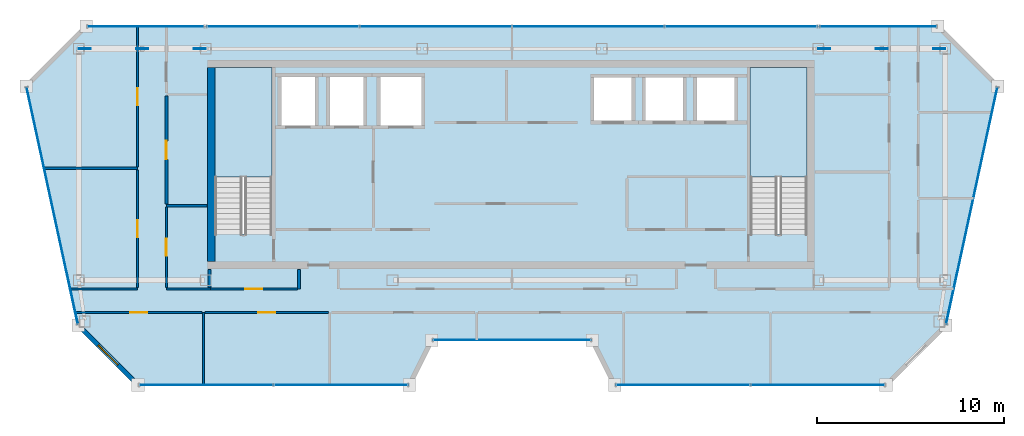
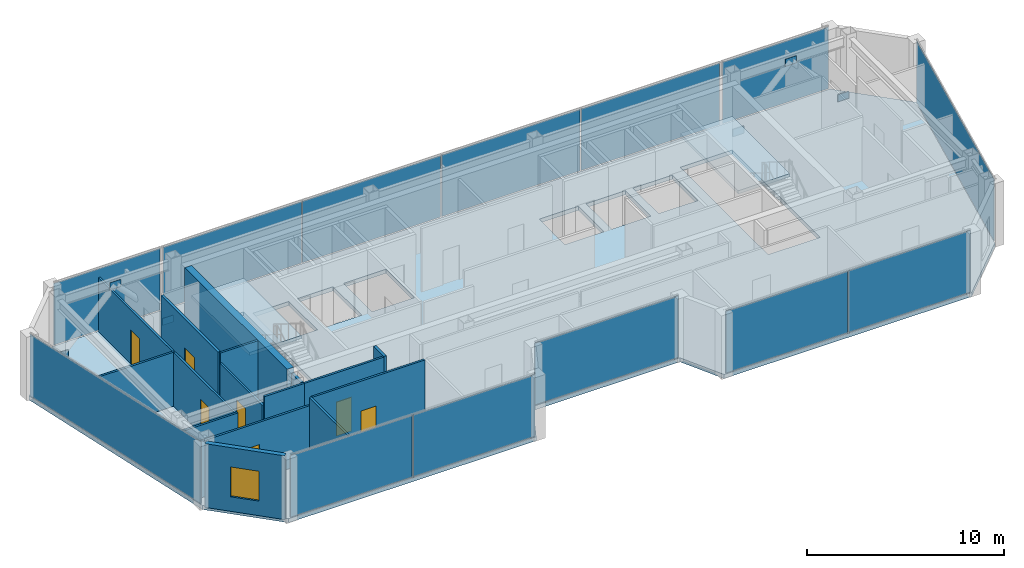
# One storey, part 14 of 20: 19 plates, 16 walls, 7 doors, 3 slabs, 1 window, 8 openings, 10 elements without a shape of their own.
"""IFC4 building model written with IfcOpenShell, lengths in metres."""

from ifc_helpers import new_model, si_unit, direction, frame, frame_2d, origin, origin_2d, place, context, subcontext, project, spatial, polyline, rectangle, outline, extrude, material, layer, layer_set, type_object, element, fill, aggregate, save


model = new_model("IFC4")

# Units and contexts
model_context = context("Model", 3, precision=1e-05, world=origin(), true_north=direction((0.0, 1.0)))
body_context = subcontext(model_context, "Body", "Model", "MODEL_VIEW")
ifc_project = project(units=[si_unit("LENGTHUNIT", "METRE"), si_unit("AREAUNIT", "SQUARE_METRE"), si_unit("VOLUMEUNIT", "CUBIC_METRE"), si_unit("PLANEANGLEUNIT", "RADIAN"), si_unit("MASSUNIT", "GRAM", prefix="KILO")], contexts=[model_context])

# Site, building, storey
site_placement = place(None, origin())
site = spatial("IfcSite", under=ifc_project, at=site_placement, CompositionType="ELEMENT")
building_placement = place(site_placement, origin())
building = spatial("IfcBuilding", under=site, at=building_placement, Name="Saevonmaru Cultural Tower", CompositionType="ELEMENT")
storey_placement = place(building_placement, frame((0.0, 0.0, 319.199951171875)))
storey = spatial("IfcBuildingStorey", under=building, at=storey_placement, Name="L76", CompositionType="ELEMENT", Elevation=319.199951171875)

# Plates
ifc_material_1 = material(Name="Steel HSA600 (600 MPa)", Category="steel")
ifc_layer_1 = layer(ifc_material_1, 0.0400390625, Name="Steel HSA600 (600 MPa)")
ifc_layer_set_1 = layer_set([ifc_layer_1], Name="Steel HSA600 (600 MPa)")
plate_type_1 = type_object("IfcPlateType", Name="PL-GUSSET-EXT", PredefinedType="USERDEFINED", material=ifc_layer_set_1)
for number, where, z_axis, x_axis, name in (
    (1, (10.199951171875, 54.800048828125, 3.300048828125), (0.0, 0.0, 1.0), (1.0, 0.0, 0.0), "L76 Perimeter Tube Gusset Plate"),
    (2, (7.1201171875, 54.800048828125, 0.02001953125), (0.0, 0.0, 1.0), (1.0, 0.0, 0.0), "L76 Perimeter Tube Gusset Plate"),
    (3, (13.280029296875, 54.800048828125, 0.02001953125), (0.0, 0.0, 1.0), (1.0, 0.0, 0.0), "L76 Perimeter Tube Gusset Plate"),
    (4, (49.800048828125, 54.800048828125, 3.300048828125), (0.0, 0.0, 1.0), (1.0, 0.0, 0.0), "L76 Perimeter Tube Gusset Plate"),
    (5, (46.719970703125, 54.800048828125, 0.02001953125), (0.0, 0.0, 1.0), (1.0, 0.0, 0.0), "L76 Perimeter Tube Gusset Plate"),
    (6, (52.8798828125, 54.800048828125, 0.02001953125), (0.0, 0.0, 1.0), (1.0, 0.0, 0.0), "L76 Perimeter Tube Gusset Plate"),
):
    element("IfcPlate", number, at=place(storey_placement, frame(where, z_axis=z_axis, x_axis=x_axis)), inside=storey, type_object=plate_type_1, Name=name, ObjectType="GUSSET_PLATE", PredefinedType="USERDEFINED", context=body_context, shape_type="SweptSolid", body=[
        extrude(rectangle(XDim=0.639892578125, YDim=0.0400390625, at=origin_2d()), origin(), (0.0, 0.0, 1.0), 0.43994140625),
    ])

# Curtain wall, plates
ifc_material_2 = material(Name="Satin Bronze Anodised Aluminium", Category="aluminium")
curtain_wall_type = type_object("IfcCurtainWallType", Name="CW-SKY-GLZ", PredefinedType="NOTDEFINED", material=ifc_material_2)
curtain_wall_1_placement = place(storey_placement, origin())
curtain_wall_1 = element("IfcCurtainWall", 7, at=curtain_wall_1_placement, inside=storey, type_object=curtain_wall_type, Name="L76 Unitised Curtain Wall E2", PredefinedType="NOTDEFINED")
ifc_material_3 = material(Name="Triple Silver Low-E Insulating Glass", Category="glass")
ifc_layer_2 = layer(ifc_material_3, 0.035888671875, Name="Triple Silver Low-E Insulating Glass")
ifc_layer_set_2 = layer_set([ifc_layer_2], Name="Triple Silver Low-E Insulating Glass")
plate_type_2 = type_object("IfcPlateType", Name="PN-GLZ-IGU", PredefinedType="CURTAIN_PANEL", material=ifc_layer_set_2)
plate_1_placement = place(storey_placement, frame((13.635009765625, 36.800048828125, 0.067138671875), z_axis=(0.0, 0.0, 1.0), x_axis=(1.0, 0.0, 0.0)))
plate_1 = element("IfcPlate", 8, at=plate_1_placement, type_object=plate_type_2, Name="CW-TW-L76-E2 panel 1.1", PredefinedType="CURTAIN_PANEL", context=body_context, shape_type="SweptSolid", body=[
    extrude(rectangle(XDim=7.13427734375, YDim=0.035888671875, at=origin_2d()), origin(), (0.0, 0.0, 1.0), 3.81591796875),
])
plate_2_placement = place(storey_placement, frame((20.83837890625, 36.800048828125, 0.067138671875), z_axis=(0.0, 0.0, 1.0), x_axis=(1.0, 0.0, 0.0)))
plate_2 = element("IfcPlate", 9, at=plate_2_placement, type_object=plate_type_2, Name="CW-TW-L76-E2 panel 2.1", PredefinedType="CURTAIN_PANEL", context=body_context, shape_type="SweptSolid", body=[
    extrude(rectangle(XDim=7.13427734375, YDim=0.035888671875, at=origin_2d()), origin(), (0.0, 0.0, 1.0), 3.81591796875),
])
aggregate(curtain_wall_1, [plate_1, plate_2])

# Curtain wall, plate
curtain_wall_2_placement = place(storey_placement, origin())
curtain_wall_2 = element("IfcCurtainWall", 10, at=curtain_wall_2_placement, inside=storey, type_object=curtain_wall_type, Name="L76 Unitised Curtain Wall E4", PredefinedType="NOTDEFINED")
plate_3_placement = place(storey_placement, frame((30.0, 39.199951171875, 0.067138671875), z_axis=(0.0, 0.0, 1.0), x_axis=(1.0, 0.0, 0.0)))
plate_3 = element("IfcPlate", 11, at=plate_3_placement, type_object=plate_type_2, Name="CW-TW-L76-E4 panel 1.1", PredefinedType="CURTAIN_PANEL", context=body_context, shape_type="SweptSolid", body=[
    extrude(rectangle(XDim=8.410888671875, YDim=0.035888671875, at=origin_2d()), origin(), (0.0, 0.0, 1.0), 3.81591796875),
])
aggregate(curtain_wall_2, [plate_3])

# Curtain wall, plates
curtain_wall_3_placement = place(storey_placement, origin())
curtain_wall_3 = element("IfcCurtainWall", 12, at=curtain_wall_3_placement, inside=storey, type_object=curtain_wall_type, Name="L76 Unitised Curtain Wall E6", PredefinedType="NOTDEFINED")
plate_4_placement = place(storey_placement, frame((39.16162109375, 36.800048828125, 0.067138671875), z_axis=(0.0, 0.0, 1.0), x_axis=(1.0, 0.0, 0.0)))
plate_4 = element("IfcPlate", 13, at=plate_4_placement, type_object=plate_type_2, Name="CW-TW-L76-E6 panel 1.1", PredefinedType="CURTAIN_PANEL", context=body_context, shape_type="SweptSolid", body=[
    extrude(rectangle(XDim=7.13427734375, YDim=0.035888671875, at=origin_2d()), origin(), (0.0, 0.0, 1.0), 3.81591796875),
])
plate_5_placement = place(storey_placement, frame((46.364990234375, 36.800048828125, 0.067138671875), z_axis=(0.0, 0.0, 1.0), x_axis=(1.0, 0.0, 0.0)))
plate_5 = element("IfcPlate", 14, at=plate_5_placement, type_object=plate_type_2, Name="CW-TW-L76-E6 panel 2.1", PredefinedType="CURTAIN_PANEL", context=body_context, shape_type="SweptSolid", body=[
    extrude(rectangle(XDim=7.13427734375, YDim=0.035888671875, at=origin_2d()), origin(), (0.0, 0.0, 1.0), 3.81591796875),
])
aggregate(curtain_wall_3, [plate_4, plate_5])

# Curtain wall, plate
curtain_wall_4_placement = place(storey_placement, origin())
curtain_wall_4 = element("IfcCurtainWall", 15, at=curtain_wall_4_placement, inside=storey, type_object=curtain_wall_type, Name="L76 Unitised Curtain Wall E8", PredefinedType="NOTDEFINED")
plate_6_placement = place(storey_placement, frame((54.61328125, 46.39990234375, 0.067138671875), z_axis=(0.0, 0.0, 1.0), x_axis=(0.211750401587, 0.977323778196, 0.0)))
plate_6 = element("IfcPlate", 16, at=plate_6_placement, type_object=plate_type_2, Name="CW-TW-L76-E8 panel 1.1", PredefinedType="CURTAIN_PANEL", context=body_context, shape_type="SweptSolid", body=[
    extrude(rectangle(XDim=12.907958984375, YDim=0.035888671875, at=origin_2d()), origin(), (0.0, 0.0, 1.0), 3.81591796875),
])
aggregate(curtain_wall_4, [plate_6])

# Curtain wall, plates
curtain_wall_5_placement = place(storey_placement, origin())
curtain_wall_5 = element("IfcCurtainWall", 17, at=curtain_wall_5_placement, inside=storey, type_object=curtain_wall_type, Name="L76 North Spine Unitised Curtain Wall E10B", PredefinedType="NOTDEFINED")
plate_7_placement = place(storey_placement, frame((42.2548828125, 56.0, 0.067138671875), z_axis=(0.0, 0.0, 1.0), x_axis=(-1.0, 0.0, 0.0)))
plate_7 = element("IfcPlate", 18, at=plate_7_placement, type_object=plate_type_2, Name="CW-TW-L76-E10B panel 1.1", PredefinedType="CURTAIN_PANEL", context=body_context, shape_type="SweptSolid", body=[
    extrude(rectangle(XDim=8.10107421875, YDim=0.035888671875, at=origin_2d()), origin(), (0.0, 0.0, 1.0), 3.81591796875),
])
plate_8_placement = place(storey_placement, frame((34.0849609375, 56.0, 0.067138671875), z_axis=(0.0, 0.0, 1.0), x_axis=(-1.0, 0.0, 0.0)))
plate_8 = element("IfcPlate", 19, at=plate_8_placement, type_object=plate_type_2, Name="CW-TW-L76-E10B panel 2.1", PredefinedType="CURTAIN_PANEL", context=body_context, shape_type="SweptSolid", body=[
    extrude(rectangle(XDim=8.10107421875, YDim=0.035888671875, at=origin_2d()), origin(), (0.0, 0.0, 1.0), 3.81591796875),
])
plate_9_placement = place(storey_placement, frame((25.9150390625, 56.0, 0.067138671875), z_axis=(0.0, 0.0, 1.0), x_axis=(-1.0, 0.0, 0.0)))
plate_9 = element("IfcPlate", 20, at=plate_9_placement, type_object=plate_type_2, Name="CW-TW-L76-E10B panel 3.1", PredefinedType="CURTAIN_PANEL", context=body_context, shape_type="SweptSolid", body=[
    extrude(rectangle(XDim=8.10107421875, YDim=0.035888671875, at=origin_2d()), origin(), (0.0, 0.0, 1.0), 3.81591796875),
])
plate_10_placement = place(storey_placement, frame((17.7451171875, 56.0, 0.067138671875), z_axis=(0.0, 0.0, 1.0), x_axis=(-1.0, 0.0, 0.0)))
plate_10 = element("IfcPlate", 21, at=plate_10_placement, type_object=plate_type_2, Name="CW-TW-L76-E10B panel 4.1", PredefinedType="CURTAIN_PANEL", context=body_context, shape_type="SweptSolid", body=[
    extrude(rectangle(XDim=8.10107421875, YDim=0.035888671875, at=origin_2d()), origin(), (0.0, 0.0, 1.0), 3.81591796875),
])
aggregate(curtain_wall_5, [plate_7, plate_8, plate_9, plate_10])

# Curtain wall, plate
curtain_wall_6_placement = place(storey_placement, origin())
curtain_wall_6 = element("IfcCurtainWall", 22, at=curtain_wall_6_placement, inside=storey, type_object=curtain_wall_type, Name="L76 Unitised Curtain Wall E12", PredefinedType="NOTDEFINED")
plate_11_placement = place(storey_placement, frame((5.38671875, 46.39990234375, 0.067138671875), z_axis=(0.0, 0.0, 1.0), x_axis=(0.211750401587, -0.977323778196, 0.0)))
plate_11 = element("IfcPlate", 23, at=plate_11_placement, type_object=plate_type_2, Name="CW-TW-L76-E12 panel 1.1", PredefinedType="CURTAIN_PANEL", context=body_context, shape_type="SweptSolid", body=[
    extrude(rectangle(XDim=12.907958984375, YDim=0.035888671875, at=origin_2d()), origin(), (0.0, 0.0, 1.0), 3.81591796875),
])
aggregate(curtain_wall_6, [plate_11])

curtain_wall_7_placement = place(storey_placement, origin())
curtain_wall_7 = element("IfcCurtainWall", 24, at=curtain_wall_7_placement, inside=storey, type_object=curtain_wall_type, Name="L76 East Braced Bay Spandrel Curtain Wall E10A", PredefinedType="NOTDEFINED")
ifc_material_4 = material(Name="Insulated Satin Bronze Aluminium Spandrel Panel", Category="aluminium")
ifc_layer_3 = layer(ifc_material_4, 0.0400390625, Name="Insulated Satin Bronze Aluminium Spandrel Panel")
ifc_layer_set_3 = layer_set([ifc_layer_3], Name="Insulated Satin Bronze Aluminium Spandrel Panel")
plate_type_3 = type_object("IfcPlateType", Name="PN-SPANDREL-BRONZE", PredefinedType="CURTAIN_PANEL", material=ifc_layer_set_3)
plate_12_placement = place(storey_placement, frame((49.60009765625, 56.0, 0.067138671875), z_axis=(0.0, 0.0, 1.0), x_axis=(-1.0, 0.0, 0.0)))
plate_12 = element("IfcPlate", 25, at=plate_12_placement, type_object=plate_type_3, Name="CW-TW-L76-E10A panel 1.1", PredefinedType="CURTAIN_PANEL", context=body_context, shape_type="SweptSolid", body=[
    extrude(rectangle(XDim=6.2109375, YDim=0.035888671875, at=origin_2d()), origin(), (0.0, 0.0, 1.0), 3.81591796875),
])
aggregate(curtain_wall_7, [plate_12])

curtain_wall_8_placement = place(storey_placement, origin())
curtain_wall_8 = element("IfcCurtainWall", 26, at=curtain_wall_8_placement, inside=storey, type_object=curtain_wall_type, Name="L76 West Braced Bay Spandrel Curtain Wall E10C", PredefinedType="NOTDEFINED")
plate_13_placement = place(storey_placement, frame((10.39990234375, 56.0, 0.067138671875), z_axis=(0.0, 0.0, 1.0), x_axis=(-1.0, 0.0, 0.0)))
plate_13 = element("IfcPlate", 27, at=plate_13_placement, type_object=plate_type_3, Name="CW-TW-L76-E10C panel 1.1", PredefinedType="CURTAIN_PANEL", context=body_context, shape_type="SweptSolid", body=[
    extrude(rectangle(XDim=6.2109375, YDim=0.035888671875, at=origin_2d()), origin(), (0.0, 0.0, 1.0), 3.81591796875),
])
aggregate(curtain_wall_8, [plate_13])

# Slab
ifc_material_5 = material(Name="Concrete C40/50", Category="concrete")
ifc_layer_4 = layer(ifc_material_5, 0.25, Name="Concrete C40/50")
ifc_layer_set_4 = layer_set([ifc_layer_4], Name="Concrete C40/50")
slab_type_1 = type_object("IfcSlabType", Name="SL-FLR-250", PredefinedType="FLOOR", material=ifc_layer_set_4)
slab_1_placement = place(storey_placement, frame((0.0, 0.0, -0.25)))
element("IfcSlab", 28, at=slab_1_placement, inside=storey, type_object=slab_type_1, Name="L76 Tower Structural Floor Slab", PredefinedType="FLOOR", context=body_context, shape_type="SweptSolid", body=[
    extrude(outline(polyline([(6.773193359375, 40.0), (9.973388671875, 36.800048828125), (24.5, 36.800048828125), (25.699951171875, 39.199951171875), (34.300048828125, 39.199951171875), (35.5, 36.800048828125), (50.026611328125, 36.800048828125), (53.226806640625, 40.0), (56.0, 52.800048828125), (52.800048828125, 56.0), (7.199951171875, 56.0), (4.0, 52.800048828125), (6.773193359375, 40.0)]), holes=[polyline([(45.800048828125, 53.800048828125), (45.800048828125, 44.875), (42.75, 44.875), (42.75, 53.800048828125), (45.800048828125, 53.800048828125)]), polyline([(42.050048828125, 50.800048828125), (39.75, 50.800048828125), (39.75, 53.39990234375), (42.050048828125, 53.39990234375), (42.050048828125, 50.800048828125)]), polyline([(39.300048828125, 50.800048828125), (37.0, 50.800048828125), (37.0, 53.39990234375), (39.300048828125, 53.39990234375), (39.300048828125, 50.800048828125)]), polyline([(36.550048828125, 50.800048828125), (34.25, 50.800048828125), (34.25, 53.39990234375), (36.550048828125, 53.39990234375), (36.550048828125, 50.800048828125)]), polyline([(25.300048828125, 50.550048828125), (22.800048828125, 50.550048828125), (22.800048828125, 53.449951171875), (25.300048828125, 53.449951171875), (25.300048828125, 50.550048828125)]), polyline([(22.199951171875, 50.550048828125), (20.10009765625, 50.550048828125), (20.10009765625, 53.449951171875), (22.199951171875, 53.449951171875), (22.199951171875, 50.550048828125)]), polyline([(19.60009765625, 50.550048828125), (17.5, 50.550048828125), (17.5, 53.449951171875), (19.60009765625, 53.449951171875), (19.60009765625, 50.550048828125)]), polyline([(17.14990234375, 53.800048828125), (17.14990234375, 44.875), (14.10009765625, 44.875), (14.10009765625, 53.800048828125), (17.14990234375, 53.800048828125)])]), origin(), (0.0, 0.0, 1.0), 0.25),
])

# Stair, slab
stair_type = type_object("IfcStairType", Name="STR-DOGLEG-RC", PredefinedType="HALF_TURN_STAIR", material=ifc_material_5)
stair_1_placement = place(storey_placement, origin())
stair_1 = element("IfcStair", 29, at=stair_1_placement, inside=storey, type_object=stair_type, Name="L76 Protected exit stair ST-1", PredefinedType="HALF_TURN_STAIR")
ifc_layer_5 = layer(ifc_material_5, 0.199951171875, Name="Concrete C40/50")
ifc_layer_set_5 = layer_set([ifc_layer_5], Name="Concrete C40/50")
slab_type_2 = type_object("IfcSlabType", Name="SL-STAIR-LANDING", PredefinedType="LANDING", material=ifc_layer_set_5)
slab_2_placement = place(storey_placement, frame((0.0, 0.0, 1.900146484375)))
slab_2 = element("IfcSlab", 30, at=slab_2_placement, type_object=slab_type_2, Name="ST-1-L76 landing 1", PredefinedType="LANDING", context=body_context, shape_type="SweptSolid", body=[
    extrude(outline(polyline([(17.14990234375, 47.929931640625), (17.14990234375, 53.800048828125), (14.10009765625, 53.800048828125), (14.10009765625, 47.929931640625), (17.14990234375, 47.929931640625)])), origin(), (0.0, 0.0, 1.0), 0.199951171875),
])
aggregate(stair_1, [slab_2])

stair_2_placement = place(storey_placement, origin())
stair_2 = element("IfcStair", 31, at=stair_2_placement, inside=storey, type_object=stair_type, Name="L76 Protected exit stair ST-2", PredefinedType="HALF_TURN_STAIR")
slab_3_placement = place(storey_placement, frame((0.0, 0.0, 1.900146484375)))
slab_3 = element("IfcSlab", 32, at=slab_3_placement, type_object=slab_type_2, Name="ST-2-L76 landing 1", PredefinedType="LANDING", context=body_context, shape_type="SweptSolid", body=[
    extrude(outline(polyline([(45.800048828125, 47.929931640625), (45.800048828125, 53.800048828125), (42.75, 53.800048828125), (42.75, 47.929931640625), (45.800048828125, 47.929931640625)])), origin(), (0.0, 0.0, 1.0), 0.199951171875),
])
aggregate(stair_2, [slab_3])

# Wall
ifc_material_6 = material(Name="Concrete C50/60", Category="concrete")
ifc_layer_6 = layer(ifc_material_6, 0.39990234375, Name="Concrete C50/60")
ifc_layer_set_6 = layer_set([ifc_layer_6], Name="Concrete C50/60")
wall_type_1 = type_object("IfcWallType", Name="WL-CORE-400", PredefinedType="SHEAR", material=ifc_layer_set_6)
wall_1_placement = place(storey_placement, frame((13.89990234375, 43.39990234375, 0.0), z_axis=(0.0, 0.0, 1.0), x_axis=(0.0, 1.0, 0.0)))
element("IfcWall", 33, at=wall_1_placement, inside=storey, type_object=wall_type_1, Name="L76 Tower RC core shear wall W", PredefinedType="SHEAR", context=body_context, shape_type="SweptSolid", body=[
    extrude(rectangle(XDim=10.400146484375, YDim=0.39990234375, at=frame_2d((5.2001953125, 0.0))), origin(), (0.0, 0.0, 1.0), 3.949951171875),
])

# Wall, opening, window
ifc_material_7 = material(Name="Granite-Clad Precast Concrete C40/50", Category="masonry")
ifc_layer_7 = layer(ifc_material_7, 0.260009765625, Name="Granite-Clad Precast Concrete C40/50")
ifc_layer_set_7 = layer_set([ifc_layer_7], Name="Granite-Clad Precast Concrete C40/50")
wall_type_2 = type_object("IfcWallType", Name="WL-EXT-SPANDREL-260", PredefinedType="STANDARD", material=ifc_layer_set_7)
wall_2_placement = place(storey_placement, frame((6.886474609375, 39.886962890625, 0.0), z_axis=(0.0, 0.0, 1.0), x_axis=(0.70707775441, -0.707135806771, 0.0)))
wall_2 = element("IfcWall", 34, at=wall_2_placement, inside=storey, type_object=wall_type_2, Name="L76 Chamfer Corner Spandrel Wall E1", PredefinedType="STANDARD", context=body_context, shape_type="SweptSolid", body=[
    extrude(rectangle(XDim=4.20556640625, YDim=0.260009765625, at=frame_2d((2.102783203125, 0.0))), origin(), (0.0, 0.0, 1.0), 3.949951171875),
])
opening_1_placement = place(wall_2_placement, frame((1.35302734375, 0.0, 0.89990234375)))
opening_1 = element("IfcOpeningElement", 35, at=opening_1_placement, cuts=wall_2, Name="Opening W-2B", PredefinedType="OPENING", context=body_context, shape_type="SweptSolid", body=[
    extrude(rectangle(XDim=1.5, YDim=1.85009765625, at=frame_2d((0.75, 0.925048828125))), frame((0.0, 0.14013671875, 0.0), z_axis=(0.0, -1.0, 0.0), x_axis=(1.0, 0.0, 0.0)), (0.0, 0.0, 1.0), 0.280029296875),
])
window_type = type_object("IfcWindowType", Name="WN-DECO-1500x1850", PartitioningType="SINGLE_PANEL", PredefinedType="WINDOW", material=ifc_material_2)
window_placement = place(opening_1_placement, origin())
window = element("IfcWindow", 36, at=window_placement, inside=storey, type_object=window_type, Name="L76 Chamfer Corner Bronze Window E1", OverallHeight=1.85009765625, OverallWidth=1.5, PartitioningType="SINGLE_PANEL", PredefinedType="WINDOW", context=body_context, shape_type="SweptSolid", body=[
    extrude(rectangle(XDim=1.5, YDim=1.85009765625, at=frame_2d((0.75, 0.925048828125))), frame((0.0, 0.030029296875, 0.0), z_axis=(0.0, -1.0, 0.0), x_axis=(1.0, 0.0, 0.0)), (0.0, 0.0, 1.0), 0.06005859375),
])
fill(opening_1, window)

# Wall, opening, door
ifc_material_8 = material(Name="Gypsum Fireboard Partition", Category="gypsum")
ifc_layer_8 = layer(ifc_material_8, 0.14990234375, Name="Gypsum Fireboard Partition")
ifc_layer_set_8 = layer_set([ifc_layer_8], Name="Gypsum Fireboard Partition")
wall_type_3 = type_object("IfcWallType", Name="WL-PART-FIRE-150", PredefinedType="PARTITIONING", material=ifc_layer_set_8)
wall_3_placement = place(storey_placement, frame((11.5, 46.47998046875, 0.0), z_axis=(0.0, 0.0, 1.0), x_axis=(0.0, 1.0, 0.0)))
wall_3 = element("IfcWall", 37, at=wall_3_placement, inside=storey, type_object=wall_type_3, Name="L76 Media Screening Auditorium Corridor Wall", PredefinedType="PARTITIONING", context=body_context, shape_type="SweptSolid", body=[
    extrude(rectangle(XDim=5.7900390625, YDim=0.14990234375, at=frame_2d((2.89501953125, 0.0))), origin(), (0.0, 0.0, 1.0), 3.949951171875),
])
opening_2_placement = place(wall_3_placement, frame((2.39501953125, 0.0, 0.0)))
opening_2 = element("IfcOpeningElement", 38, at=opening_2_placement, cuts=wall_3, Name="Opening ID-1B", PredefinedType="OPENING", context=body_context, shape_type="SweptSolid", body=[
    extrude(rectangle(XDim=1.0, YDim=2.14990234375, at=frame_2d((0.5, 1.074951171875))), frame((0.0, 0.0849609375, 0.0), z_axis=(0.0, -1.0, 0.0), x_axis=(1.0, 0.0, 0.0)), (0.0, 0.0, 1.0), 0.169921875),
])
ifc_material_9 = material(Name="Acoustic Stained Oak Timber", Category="wood")
door_type_1 = type_object("IfcDoorType", Name="DR-INT-1000", OperationType="SINGLE_SWING_RIGHT", PredefinedType="DOOR", material=ifc_material_9)
door_1_placement = place(opening_2_placement, origin())
door_1 = element("IfcDoor", 39, at=door_1_placement, inside=storey, type_object=door_type_1, Name="L76 Media Screening Auditorium Door", OperationType="SINGLE_SWING_LEFT", OverallHeight=2.14990234375, OverallWidth=1.0, PredefinedType="DOOR", context=body_context, shape_type="SweptSolid", body=[
    extrude(rectangle(XDim=1.0, YDim=2.14990234375, at=frame_2d((0.5, 1.074951171875))), frame((0.0, 0.02490234375, 0.0), z_axis=(0.0, -1.0, 0.0), x_axis=(1.0, 0.0, 0.0)), (0.0, 0.0, 1.0), 0.050048828125),
])
fill(opening_2, door_1)

# Walls
wall_4_placement = place(storey_placement, frame((13.800048828125, 42.02001953125, 0.0), z_axis=(0.0, 0.0, 1.0), x_axis=(0.0, 1.0, 0.0)))
element("IfcWall", 40, at=wall_4_placement, inside=storey, type_object=wall_type_3, Name="L76 Core Portal Side Wall W0", PredefinedType="PARTITIONING", context=body_context, shape_type="SweptSolid", body=[
    extrude(rectangle(XDim=0.9599609375, YDim=0.14990234375, at=frame_2d((0.47998046875, 0.0))), origin(), (0.0, 0.0, 1.0), 3.949951171875),
])
wall_5_placement = place(storey_placement, frame((18.60009765625, 41.93994140625, 0.0), z_axis=(0.0, 0.0, 1.0), x_axis=(0.0, 1.0, 0.0)))
element("IfcWall", 41, at=wall_5_placement, inside=storey, type_object=wall_type_3, Name="L76 Core Portal Side Wall W1", PredefinedType="PARTITIONING", context=body_context, shape_type="SweptSolid", body=[
    extrude(rectangle(XDim=1.0400390625, YDim=0.14990234375, at=frame_2d((0.52001953125, 0.0))), origin(), (0.0, 0.0, 1.0), 3.949951171875),
])
ifc_layer_9 = layer(ifc_material_8, 0.1201171875, Name="Gypsum Fireboard Partition")
ifc_layer_set_9 = layer_set([ifc_layer_9], Name="Gypsum Fireboard Partition")
wall_type_4 = type_object("IfcWallType", Name="WL-PART-GYP-120", PredefinedType="PARTITIONING", material=ifc_layer_set_9)
wall_6_placement = place(storey_placement, frame((6.358154296875, 41.93994140625, 0.0), z_axis=(0.0, 0.0, 1.0), x_axis=(1.0, 0.0, 0.0)))
element("IfcWall", 42, at=wall_6_placement, inside=storey, type_object=wall_type_4, Name="L76 NW Wing South Wall", PredefinedType="PARTITIONING", context=body_context, shape_type="SweptSolid", body=[
    extrude(rectangle(XDim=3.591796875, YDim=0.1201171875, at=frame_2d((1.7958984375, 0.0))), origin(), (0.0, 0.0, 1.0), 3.485107421875),
])
wall_7_placement = place(storey_placement, frame((11.5, 41.93994140625, 0.0), z_axis=(0.0, 0.0, 1.0), x_axis=(1.0, 0.0, 0.0)))
element("IfcWall", 43, at=wall_7_placement, inside=storey, type_object=wall_type_4, Name="L76 NW Inner South Wall", PredefinedType="PARTITIONING", context=body_context, shape_type="SweptSolid", body=[
    extrude(rectangle(XDim=2.35009765625, YDim=0.1201171875, at=frame_2d((1.175048828125, 0.0))), origin(), (0.0, 0.0, 1.0), 3.949951171875),
])
wall_8_placement = place(storey_placement, frame((4.95849609375, 48.39990234375, 0.0), z_axis=(0.0, 0.0, 1.0), x_axis=(1.0, 0.0, 0.0)))
element("IfcWall", 44, at=wall_8_placement, inside=storey, type_object=wall_type_4, Name="L76 NW Studio Divider 1", PredefinedType="PARTITIONING", context=body_context, shape_type="SweptSolid", body=[
    extrude(rectangle(XDim=4.991455078125, YDim=0.1201171875, at=frame_2d((2.49560546875, 0.0))), origin(), (0.0, 0.0, 1.0), 3.34716796875),
])

# Wall, opening, door
wall_9_placement = place(storey_placement, frame((9.949951171875, 42.02001953125, 0.0), z_axis=(0.0, 0.0, 1.0), x_axis=(0.0, 1.0, 0.0)))
wall_9 = element("IfcWall", 45, at=wall_9_placement, inside=storey, type_object=wall_type_4, Name="L76 Digital Media Classroom Corridor Wall", PredefinedType="PARTITIONING", context=body_context, shape_type="SweptSolid", body=[
    extrude(rectangle(XDim=6.300048828125, YDim=0.1201171875, at=frame_2d((3.14990234375, 0.0))), origin(), (0.0, 0.0, 1.0), 3.34716796875),
])
opening_3_placement = place(wall_9_placement, frame((2.699951171875, 0.0, 0.0)))
opening_3 = element("IfcOpeningElement", 46, at=opening_3_placement, cuts=wall_9, Name="Opening ID-2", PredefinedType="OPENING", context=body_context, shape_type="SweptSolid", body=[
    extrude(rectangle(XDim=0.89990234375, YDim=2.10009765625, at=frame_2d((0.449951171875, 1.050048828125))), frame((0.0, 0.070068359375, 0.0), z_axis=(0.0, -1.0, 0.0), x_axis=(1.0, 0.0, 0.0)), (0.0, 0.0, 1.0), 0.14013671875),
])
door_type_2 = type_object("IfcDoorType", Name="DR-INT-900", OperationType="SINGLE_SWING_RIGHT", PredefinedType="DOOR", material=ifc_material_9)
door_2_placement = place(opening_3_placement, origin())
door_2 = element("IfcDoor", 47, at=door_2_placement, inside=storey, type_object=door_type_2, Name="L76 Digital Media Classroom Door", OperationType="SINGLE_SWING_RIGHT", OverallHeight=2.10009765625, OverallWidth=0.89990234375, PredefinedType="DOOR", context=body_context, shape_type="SweptSolid", body=[
    extrude(rectangle(XDim=0.89990234375, YDim=2.10009765625, at=frame_2d((0.449951171875, 1.050048828125))), frame((0.0, 0.02490234375, 0.0), z_axis=(0.0, -1.0, 0.0), x_axis=(1.0, 0.0, 0.0)), (0.0, 0.0, 1.0), 0.050048828125),
])
fill(opening_3, door_2)

wall_10_placement = place(storey_placement, frame((9.949951171875, 48.47998046875, 0.0), z_axis=(0.0, 0.0, 1.0), x_axis=(0.0, 1.0, 0.0)))
wall_10 = element("IfcWall", 48, at=wall_10_placement, inside=storey, type_object=wall_type_4, Name="L76 Design Seminar Classroom Corridor Wall", PredefinedType="PARTITIONING", context=body_context, shape_type="SweptSolid", body=[
    extrude(rectangle(XDim=7.51513671875, YDim=0.1201171875, at=frame_2d((3.757568359375, 0.0))), origin(), (0.0, 0.0, 1.0), 3.3349609375),
])
opening_4_placement = place(wall_10_placement, frame((3.30810546875, 0.0, 0.0)))
opening_4 = element("IfcOpeningElement", 49, at=opening_4_placement, cuts=wall_10, Name="Opening ID-2", PredefinedType="OPENING", context=body_context, shape_type="SweptSolid", body=[
    extrude(rectangle(XDim=0.89990234375, YDim=2.10009765625, at=frame_2d((0.449951171875, 1.050048828125))), frame((0.0, 0.070068359375, 0.0), z_axis=(0.0, -1.0, 0.0), x_axis=(1.0, 0.0, 0.0)), (0.0, 0.0, 1.0), 0.14013671875),
])
door_3_placement = place(opening_4_placement, origin())
door_3 = element("IfcDoor", 50, at=door_3_placement, inside=storey, type_object=door_type_2, Name="L76 Design Seminar Classroom Door", OperationType="SINGLE_SWING_LEFT", OverallHeight=2.10009765625, OverallWidth=0.89990234375, PredefinedType="DOOR", context=body_context, shape_type="SweptSolid", body=[
    extrude(rectangle(XDim=0.89990234375, YDim=2.10009765625, at=frame_2d((0.449951171875, 1.050048828125))), frame((0.0, 0.02490234375, 0.0), z_axis=(0.0, -1.0, 0.0), x_axis=(1.0, 0.0, 0.0)), (0.0, 0.0, 1.0), 0.050048828125),
])
fill(opening_4, door_3)

# Wall
wall_11_placement = place(storey_placement, frame((11.5, 46.39990234375, 0.0), z_axis=(0.0, 0.0, 1.0), x_axis=(1.0, 0.0, 0.0)))
element("IfcWall", 51, at=wall_11_placement, inside=storey, type_object=wall_type_4, Name="L76 NW Inner Divider", PredefinedType="PARTITIONING", context=body_context, shape_type="SweptSolid", body=[
    extrude(rectangle(XDim=2.179931640625, YDim=0.1201171875, at=frame_2d((1.08984375, 0.0))), origin(), (0.0, 0.0, 1.0), 3.949951171875),
])

# Wall, opening, door
wall_12_placement = place(storey_placement, frame((11.5, 42.02001953125, 0.0), z_axis=(0.0, 0.0, 1.0), x_axis=(0.0, 1.0, 0.0)))
wall_12 = element("IfcWall", 52, at=wall_12_placement, inside=storey, type_object=wall_type_4, Name="L76 Design Seminar Classroom Corridor Wall", PredefinedType="PARTITIONING", context=body_context, shape_type="SweptSolid", body=[
    extrude(rectangle(XDim=4.300048828125, YDim=0.1201171875, at=frame_2d((2.14990234375, 0.0))), origin(), (0.0, 0.0, 1.0), 3.34716796875),
])
opening_5_placement = place(wall_12_placement, frame((1.699951171875, 0.0, 0.0)))
opening_5 = element("IfcOpeningElement", 53, at=opening_5_placement, cuts=wall_12, Name="Opening ID-2", PredefinedType="OPENING", context=body_context, shape_type="SweptSolid", body=[
    extrude(rectangle(XDim=0.89990234375, YDim=2.10009765625, at=frame_2d((0.449951171875, 1.050048828125))), frame((0.0, 0.070068359375, 0.0), z_axis=(0.0, -1.0, 0.0), x_axis=(1.0, 0.0, 0.0)), (0.0, 0.0, 1.0), 0.14013671875),
])
door_4_placement = place(opening_5_placement, origin())
door_4 = element("IfcDoor", 54, at=door_4_placement, inside=storey, type_object=door_type_2, Name="L76 Design Seminar Classroom Door", OperationType="SINGLE_SWING_RIGHT", OverallHeight=2.10009765625, OverallWidth=0.89990234375, PredefinedType="DOOR", context=body_context, shape_type="SweptSolid", body=[
    extrude(rectangle(XDim=0.89990234375, YDim=2.10009765625, at=frame_2d((0.449951171875, 1.050048828125))), frame((0.0, 0.02490234375, 0.0), z_axis=(0.0, -1.0, 0.0), x_axis=(1.0, 0.0, 0.0)), (0.0, 0.0, 1.0), 0.050048828125),
])
fill(opening_5, door_4)

wall_13_placement = place(storey_placement, frame((13.85009765625, 41.93994140625, 0.0), z_axis=(0.0, 0.0, 1.0), x_axis=(1.0, 0.0, 0.0)))
wall_13 = element("IfcWall", 55, at=wall_13_placement, inside=storey, type_object=wall_type_4, Name="L76 Digital Media Classroom Corridor Wall", PredefinedType="PARTITIONING", context=body_context, shape_type="SweptSolid", body=[
    extrude(rectangle(XDim=4.65478515625, YDim=0.1201171875, at=frame_2d((2.327392578125, 0.0))), origin(), (0.0, 0.0, 1.0), 3.949951171875),
])
opening_6_placement = place(wall_13_placement, frame((1.876953125, 0.0, 0.0)))
opening_6 = element("IfcOpeningElement", 56, at=opening_6_placement, cuts=wall_13, Name="Opening ID-2", PredefinedType="OPENING", context=body_context, shape_type="SweptSolid", body=[
    extrude(rectangle(XDim=0.89990234375, YDim=2.10009765625, at=frame_2d((0.449951171875, 1.050048828125))), frame((0.0, 0.070068359375, 0.0), z_axis=(0.0, -1.0, 0.0), x_axis=(1.0, 0.0, 0.0)), (0.0, 0.0, 1.0), 0.14013671875),
])
door_5_placement = place(opening_6_placement, origin())
door_5 = element("IfcDoor", 57, at=door_5_placement, inside=storey, type_object=door_type_2, Name="L76 Digital Media Classroom Door", OperationType="SINGLE_SWING_LEFT", OverallHeight=2.10009765625, OverallWidth=0.89990234375, PredefinedType="DOOR", context=body_context, shape_type="SweptSolid", body=[
    extrude(rectangle(XDim=0.89990234375, YDim=2.10009765625, at=frame_2d((0.449951171875, 1.050048828125))), frame((0.0, 0.02490234375, 0.0), z_axis=(0.0, -1.0, 0.0), x_axis=(1.0, 0.0, 0.0)), (0.0, 0.0, 1.0), 0.050048828125),
])
fill(opening_6, door_5)

# Wall
wall_14_placement = place(storey_placement, frame((13.489990234375, 36.804931640625, 0.0), z_axis=(0.0, 0.0, 1.0), x_axis=(0.0, 1.0, 0.0)))
element("IfcWall", 58, at=wall_14_placement, inside=storey, type_object=wall_type_4, Name="L76 Observatory Bay Divider 1", PredefinedType="PARTITIONING", context=body_context, shape_type="SweptSolid", body=[
    extrude(rectangle(XDim=3.875, YDim=0.1201171875, at=frame_2d((1.9375, 0.0))), origin(), (0.0, 0.0, 1.0), 3.949951171875),
])

# Wall, opening, door
wall_15_placement = place(storey_placement, frame((6.631103515625, 40.679931640625, 0.0), z_axis=(0.0, 0.0, 1.0), x_axis=(1.0, 0.0, 0.0)))
wall_15 = element("IfcWall", 59, at=wall_15_placement, inside=storey, type_object=wall_type_4, Name="L76 Digital Media Classroom Corridor Wall", PredefinedType="PARTITIONING", context=body_context, shape_type="SweptSolid", body=[
    extrude(rectangle(XDim=6.77880859375, YDim=0.1201171875, at=frame_2d((3.389404296875, 0.0))), origin(), (0.0, 0.0, 1.0), 3.485107421875),
])
opening_7_placement = place(wall_15_placement, frame((2.93896484375, 0.0, 0.0)))
opening_7 = element("IfcOpeningElement", 60, at=opening_7_placement, cuts=wall_15, Name="Opening ID-2", PredefinedType="OPENING", context=body_context, shape_type="SweptSolid", body=[
    extrude(rectangle(XDim=0.89990234375, YDim=2.10009765625, at=frame_2d((0.449951171875, 1.050048828125))), frame((0.0, 0.070068359375, 0.0), z_axis=(0.0, -1.0, 0.0), x_axis=(1.0, 0.0, 0.0)), (0.0, 0.0, 1.0), 0.14013671875),
])
door_6_placement = place(opening_7_placement, origin())
door_6 = element("IfcDoor", 61, at=door_6_placement, inside=storey, type_object=door_type_2, Name="L76 Digital Media Classroom Door", OperationType="SINGLE_SWING_LEFT", OverallHeight=2.10009765625, OverallWidth=0.89990234375, PredefinedType="DOOR", context=body_context, shape_type="SweptSolid", body=[
    extrude(rectangle(XDim=0.89990234375, YDim=2.10009765625, at=frame_2d((0.449951171875, 1.050048828125))), frame((0.0, 0.02490234375, 0.0), z_axis=(0.0, -1.0, 0.0), x_axis=(1.0, 0.0, 0.0)), (0.0, 0.0, 1.0), 0.050048828125),
])
fill(opening_7, door_6)

wall_16_placement = place(storey_placement, frame((13.570068359375, 40.679931640625, 0.0), z_axis=(0.0, 0.0, 1.0), x_axis=(1.0, 0.0, 0.0)))
wall_16 = element("IfcWall", 62, at=wall_16_placement, inside=storey, type_object=wall_type_4, Name="L76 Design Seminar Classroom Corridor Wall", PredefinedType="PARTITIONING", context=body_context, shape_type="SweptSolid", body=[
    extrude(rectangle(XDim=6.592529296875, YDim=0.1201171875, at=frame_2d((3.29638671875, 0.0))), origin(), (0.0, 0.0, 1.0), 3.949951171875),
])
opening_8_placement = place(wall_16_placement, frame((2.845947265625, 0.0, 0.0)))
opening_8 = element("IfcOpeningElement", 63, at=opening_8_placement, cuts=wall_16, Name="Opening ID-2", PredefinedType="OPENING", context=body_context, shape_type="SweptSolid", body=[
    extrude(rectangle(XDim=0.89990234375, YDim=2.10009765625, at=frame_2d((0.449951171875, 1.050048828125))), frame((0.0, 0.070068359375, 0.0), z_axis=(0.0, -1.0, 0.0), x_axis=(1.0, 0.0, 0.0)), (0.0, 0.0, 1.0), 0.14013671875),
])
door_7_placement = place(opening_8_placement, origin())
door_7 = element("IfcDoor", 64, at=door_7_placement, inside=storey, type_object=door_type_2, Name="L76 Design Seminar Classroom Door", OperationType="SINGLE_SWING_RIGHT", OverallHeight=2.10009765625, OverallWidth=0.89990234375, PredefinedType="DOOR", context=body_context, shape_type="SweptSolid", body=[
    extrude(rectangle(XDim=0.89990234375, YDim=2.10009765625, at=frame_2d((0.449951171875, 1.050048828125))), frame((0.0, 0.02490234375, 0.0), z_axis=(0.0, -1.0, 0.0), x_axis=(1.0, 0.0, 0.0)), (0.0, 0.0, 1.0), 0.050048828125),
])
fill(opening_8, door_7)

save(model, "model.ifc")
